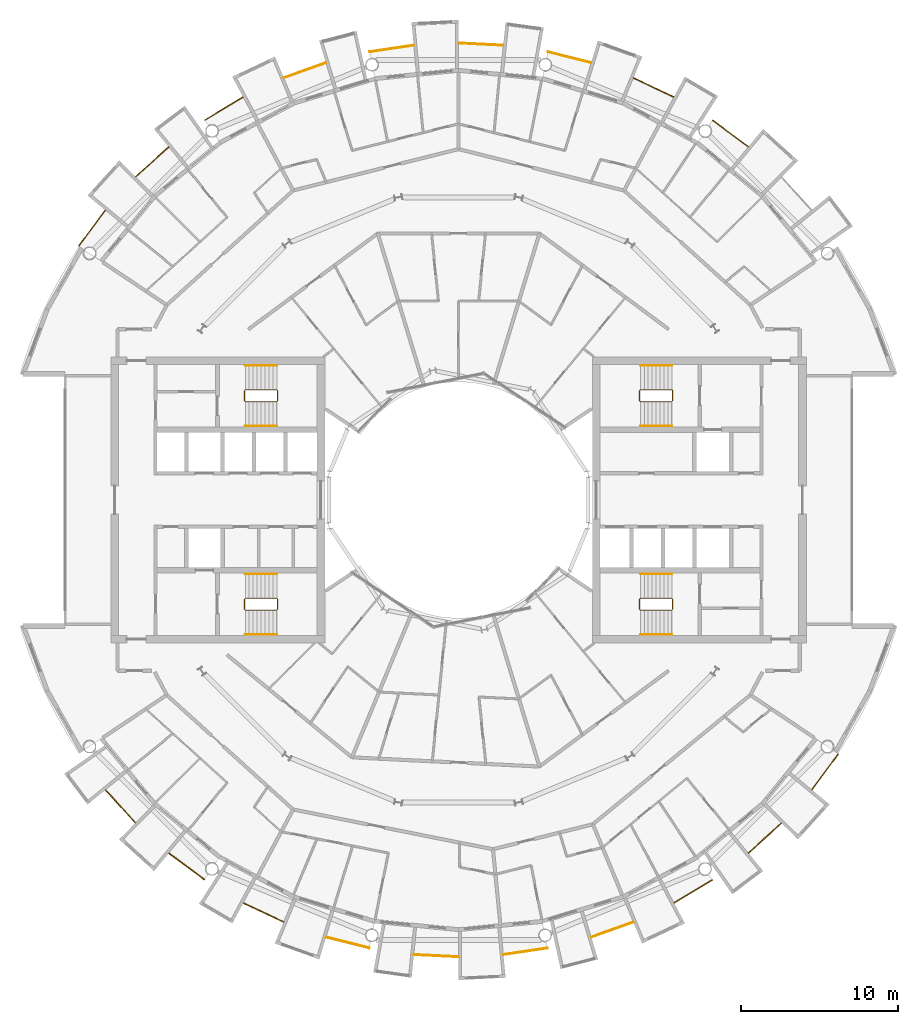
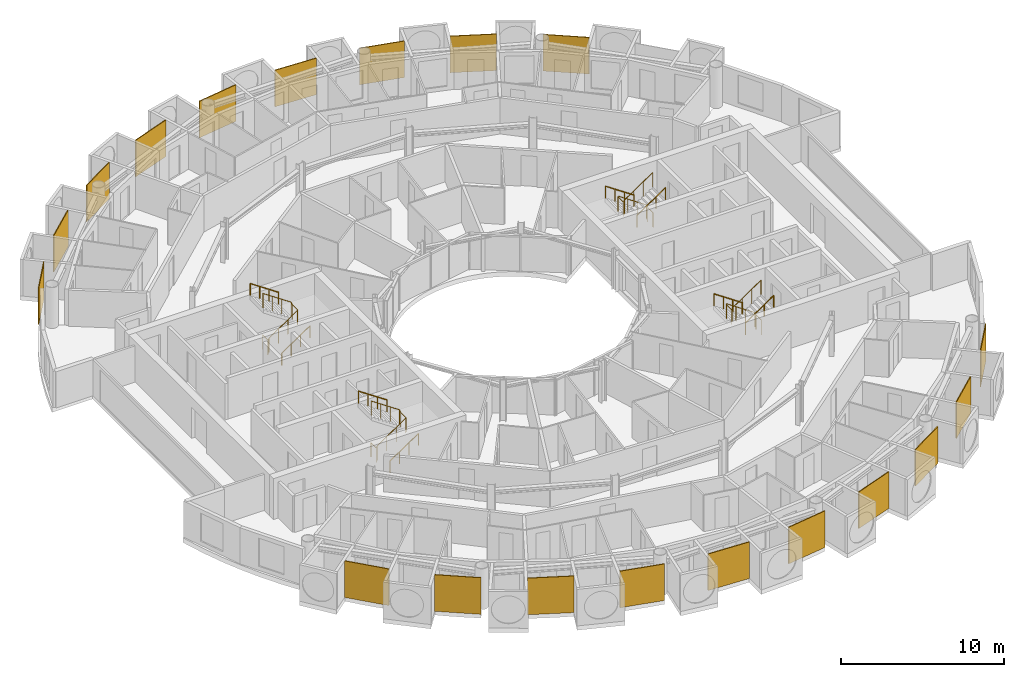
# One storey, part 26 of 27: 31 railings.
"""IFC4 building model written with IfcOpenShell, lengths in metres."""

from ifc_helpers import new_model, si_unit, direction, frame, origin, origin_2d, place, context, subcontext, project, spatial, polyline, circle, outline, extrude, material, layer, layer_set, type_object, element, save


model = new_model("IFC4")

# Units and contexts
model_context = context("Model", 3, precision=1e-05, world=origin(), true_north=direction((0.0, 1.0)))
body_context = subcontext(model_context, "Body", "Model", "MODEL_VIEW")
ifc_project = project(units=[si_unit("LENGTHUNIT", "METRE"), si_unit("AREAUNIT", "SQUARE_METRE"), si_unit("VOLUMEUNIT", "CUBIC_METRE"), si_unit("PLANEANGLEUNIT", "RADIAN"), si_unit("MASSUNIT", "GRAM", prefix="KILO")], contexts=[model_context])

# Site, building, storey
site_placement = place(None, origin())
site = spatial("IfcSite", under=ifc_project, at=site_placement, CompositionType="ELEMENT")
building_placement = place(site_placement, origin())
building = spatial("IfcBuilding", under=site, at=building_placement, Name="Maasbend Ring Residences", CompositionType="ELEMENT")
storey_placement = place(building_placement, frame((0.0, 0.0, 151.300048828125)))
storey = spatial("IfcBuildingStorey", under=building, at=storey_placement, Name="L43", CompositionType="ELEMENT", Elevation=151.300048828125)

# Railings
ifc_material_1 = material(Name="Pale anodised perforated aluminium", Category="aluminium")
ifc_layer = layer(ifc_material_1, 0.06005859375)
ifc_layer_set = layer_set([ifc_layer], Name="SCREEN-P")
railing_type_1 = type_object("IfcRailingType", Name="SCREEN-P", PredefinedType="GUARDRAIL", material=ifc_layer_set)
railing_1_placement = place(storey_placement, frame((0.0, 0.0, -0.030029296875)))
element("IfcRailing", 1, at=railing_1_placement, inside=storey, type_object=railing_type_1, Name="Perforated screen guard 2", PredefinedType="GUARDRAIL", context=body_context, shape_type="SweptSolid", body=[
    extrude(outline(polyline([(18.39697265625, 22.4169921875), (16.112060546875, 24.113037109375), (16.14697265625, 24.160888671875), (18.43310546875, 22.465087890625), (18.39697265625, 22.4169921875)])), origin(), (0.0, 0.0, 1.0), 2.72998046875),
])
railing_2_placement = place(storey_placement, frame((0.0, 0.0, -0.030029296875)))
element("IfcRailing", 2, at=railing_2_placement, inside=storey, type_object=railing_type_1, Name="Perforated screen guard 3", PredefinedType="GUARDRAIL", context=body_context, shape_type="SweptSolid", body=[
    extrude(outline(polyline([(13.6708984375, 25.575927734375), (11.097900390625, 26.79296875), (11.123046875, 26.846923828125), (13.696044921875, 25.6298828125), (13.6708984375, 25.575927734375)])), origin(), (0.0, 0.0, 1.0), 2.72998046875),
])
railing_3_placement = place(storey_placement, frame((0.0, 0.0, -0.030029296875)))
element("IfcRailing", 3, at=railing_3_placement, inside=storey, type_object=railing_type_1, Name="Perforated screen guard 4", PredefinedType="GUARDRAIL", context=body_context, shape_type="SweptSolid", body=[
    extrude(outline(polyline([(8.41796875, 27.7509765625), (5.657958984375, 28.443115234375), (5.672119140625, 28.5009765625), (8.43310546875, 27.80908203125), (8.41796875, 27.7509765625)])), origin(), (0.0, 0.0, 1.0), 2.72998046875),
])
railing_4_placement = place(storey_placement, frame((0.0, 0.0, -0.030029296875)))
element("IfcRailing", 4, at=railing_4_placement, inside=storey, type_object=railing_type_1, Name="Perforated screen guard 5", PredefinedType="GUARDRAIL", context=body_context, shape_type="SweptSolid", body=[
    extrude(outline(polyline([(2.842041015625, 28.860107421875), (0.0, 29.0), (0.0029296875, 29.06005859375), (2.844970703125, 28.919921875), (2.842041015625, 28.860107421875)])), origin(), (0.0, 0.0, 1.0), 2.72998046875),
])
railing_5_placement = place(storey_placement, frame((0.0, 0.0, -0.030029296875)))
element("IfcRailing", 5, at=railing_5_placement, inside=storey, type_object=railing_type_1, Name="Perforated screen guard 6", PredefinedType="GUARDRAIL", context=body_context, shape_type="SweptSolid", body=[
    extrude(outline(polyline([(-2.842041015625, 28.860107421875), (-5.657958984375, 28.443115234375), (-5.666015625, 28.501953125), (-2.85107421875, 28.919921875), (-2.842041015625, 28.860107421875)])), origin(), (0.0, 0.0, 1.0), 2.72998046875),
])
railing_6_placement = place(storey_placement, frame((0.0, 0.0, -0.030029296875)))
element("IfcRailing", 6, at=railing_6_placement, inside=storey, type_object=railing_type_1, Name="Perforated screen guard 7", PredefinedType="GUARDRAIL", context=body_context, shape_type="SweptSolid", body=[
    extrude(outline(polyline([(-8.41796875, 27.7509765625), (-11.097900390625, 26.79296875), (-11.117919921875, 26.84912109375), (-8.43798828125, 27.80810546875), (-8.41796875, 27.7509765625)])), origin(), (0.0, 0.0, 1.0), 2.72998046875),
])
railing_7_placement = place(storey_placement, frame((0.0, 0.0, -0.030029296875)))
element("IfcRailing", 7, at=railing_7_placement, inside=storey, type_object=railing_type_1, Name="Perforated screen guard 8", PredefinedType="GUARDRAIL", context=body_context, shape_type="SweptSolid", body=[
    extrude(outline(polyline([(-13.6708984375, 25.575927734375), (-16.112060546875, 24.113037109375), (-16.14208984375, 24.1640625), (-13.700927734375, 25.626953125), (-13.6708984375, 25.575927734375)])), origin(), (0.0, 0.0, 1.0), 2.72998046875),
])
railing_8_placement = place(storey_placement, frame((0.0, 0.0, -0.030029296875)))
element("IfcRailing", 8, at=railing_8_placement, inside=storey, type_object=railing_type_1, Name="Perforated screen guard 9", PredefinedType="GUARDRAIL", context=body_context, shape_type="SweptSolid", body=[
    extrude(outline(polyline([(-18.39697265625, 22.4169921875), (-20.506103515625, 20.506103515625), (-20.5458984375, 20.551025390625), (-18.43798828125, 22.4619140625), (-18.39697265625, 22.4169921875)])), origin(), (0.0, 0.0, 1.0), 2.72998046875),
])
railing_9_placement = place(storey_placement, frame((0.0, 0.0, -0.030029296875)))
element("IfcRailing", 9, at=railing_9_placement, inside=storey, type_object=railing_type_1, Name="Perforated screen guard 10", PredefinedType="GUARDRAIL", context=body_context, shape_type="SweptSolid", body=[
    extrude(outline(polyline([(-22.4169921875, 18.39697265625), (-24.113037109375, 16.112060546875), (-24.160888671875, 16.14697265625), (-22.465087890625, 18.43310546875), (-22.4169921875, 18.39697265625)])), origin(), (0.0, 0.0, 1.0), 2.72998046875),
])
railing_10_placement = place(storey_placement, frame((0.0, 0.0, -0.030029296875)))
element("IfcRailing", 10, at=railing_10_placement, inside=storey, type_object=railing_type_1, Name="Perforated screen guard 1", PredefinedType="GUARDRAIL", context=body_context, shape_type="SweptSolid", body=[
    extrude(outline(polyline([(-22.4169921875, -18.39697265625), (-20.506103515625, -20.506103515625), (-20.551025390625, -20.5458984375), (-22.4619140625, -18.43798828125), (-22.4169921875, -18.39697265625)])), origin(), (0.0, 0.0, 1.0), 2.72998046875),
])
railing_11_placement = place(storey_placement, frame((0.0, 0.0, -0.030029296875)))
element("IfcRailing", 11, at=railing_11_placement, inside=storey, type_object=railing_type_1, Name="Perforated screen guard 2", PredefinedType="GUARDRAIL", context=body_context, shape_type="SweptSolid", body=[
    extrude(outline(polyline([(-18.39697265625, -22.4169921875), (-16.112060546875, -24.113037109375), (-16.14697265625, -24.160888671875), (-18.43310546875, -22.465087890625), (-18.39697265625, -22.4169921875)])), origin(), (0.0, 0.0, 1.0), 2.72998046875),
])
railing_12_placement = place(storey_placement, frame((0.0, 0.0, -0.030029296875)))
element("IfcRailing", 12, at=railing_12_placement, inside=storey, type_object=railing_type_1, Name="Perforated screen guard 3", PredefinedType="GUARDRAIL", context=body_context, shape_type="SweptSolid", body=[
    extrude(outline(polyline([(-13.6708984375, -25.575927734375), (-11.097900390625, -26.79296875), (-11.123046875, -26.846923828125), (-13.696044921875, -25.6298828125), (-13.6708984375, -25.575927734375)])), origin(), (0.0, 0.0, 1.0), 2.72998046875),
])
railing_13_placement = place(storey_placement, frame((0.0, 0.0, -0.030029296875)))
element("IfcRailing", 13, at=railing_13_placement, inside=storey, type_object=railing_type_1, Name="Perforated screen guard 4", PredefinedType="GUARDRAIL", context=body_context, shape_type="SweptSolid", body=[
    extrude(outline(polyline([(-8.41796875, -27.7509765625), (-5.657958984375, -28.443115234375), (-5.672119140625, -28.5009765625), (-8.43310546875, -27.80908203125), (-8.41796875, -27.7509765625)])), origin(), (0.0, 0.0, 1.0), 2.72998046875),
])
railing_14_placement = place(storey_placement, frame((0.0, 0.0, -0.030029296875)))
element("IfcRailing", 14, at=railing_14_placement, inside=storey, type_object=railing_type_1, Name="Perforated screen guard 5", PredefinedType="GUARDRAIL", context=body_context, shape_type="SweptSolid", body=[
    extrude(outline(polyline([(-2.842041015625, -28.860107421875), (0.0, -29.0), (-0.0029296875, -29.06005859375), (-2.844970703125, -28.919921875), (-2.842041015625, -28.860107421875)])), origin(), (0.0, 0.0, 1.0), 2.72998046875),
])
railing_15_placement = place(storey_placement, frame((0.0, 0.0, -0.030029296875)))
element("IfcRailing", 15, at=railing_15_placement, inside=storey, type_object=railing_type_1, Name="Perforated screen guard 6", PredefinedType="GUARDRAIL", context=body_context, shape_type="SweptSolid", body=[
    extrude(outline(polyline([(2.842041015625, -28.860107421875), (5.657958984375, -28.443115234375), (5.666015625, -28.501953125), (2.85107421875, -28.919921875), (2.842041015625, -28.860107421875)])), origin(), (0.0, 0.0, 1.0), 2.72998046875),
])
railing_16_placement = place(storey_placement, frame((0.0, 0.0, -0.030029296875)))
element("IfcRailing", 16, at=railing_16_placement, inside=storey, type_object=railing_type_1, Name="Perforated screen guard 7", PredefinedType="GUARDRAIL", context=body_context, shape_type="SweptSolid", body=[
    extrude(outline(polyline([(8.41796875, -27.7509765625), (11.097900390625, -26.79296875), (11.117919921875, -26.84912109375), (8.43798828125, -27.80810546875), (8.41796875, -27.7509765625)])), origin(), (0.0, 0.0, 1.0), 2.72998046875),
])
railing_17_placement = place(storey_placement, frame((0.0, 0.0, -0.030029296875)))
element("IfcRailing", 17, at=railing_17_placement, inside=storey, type_object=railing_type_1, Name="Perforated screen guard 8", PredefinedType="GUARDRAIL", context=body_context, shape_type="SweptSolid", body=[
    extrude(outline(polyline([(13.6708984375, -25.575927734375), (16.112060546875, -24.113037109375), (16.14208984375, -24.1640625), (13.700927734375, -25.626953125), (13.6708984375, -25.575927734375)])), origin(), (0.0, 0.0, 1.0), 2.72998046875),
])
railing_18_placement = place(storey_placement, frame((0.0, 0.0, -0.030029296875)))
element("IfcRailing", 18, at=railing_18_placement, inside=storey, type_object=railing_type_1, Name="Perforated screen guard 9", PredefinedType="GUARDRAIL", context=body_context, shape_type="SweptSolid", body=[
    extrude(outline(polyline([(18.39697265625, -22.4169921875), (20.506103515625, -20.506103515625), (20.5458984375, -20.551025390625), (18.43798828125, -22.4619140625), (18.39697265625, -22.4169921875)])), origin(), (0.0, 0.0, 1.0), 2.72998046875),
])
railing_19_placement = place(storey_placement, frame((0.0, 0.0, -0.030029296875)))
element("IfcRailing", 19, at=railing_19_placement, inside=storey, type_object=railing_type_1, Name="Perforated screen guard 10", PredefinedType="GUARDRAIL", context=body_context, shape_type="SweptSolid", body=[
    extrude(outline(polyline([(22.4169921875, -18.39697265625), (24.113037109375, -16.112060546875), (24.160888671875, -16.14697265625), (22.465087890625, -18.43310546875), (22.4169921875, -18.39697265625)])), origin(), (0.0, 0.0, 1.0), 2.72998046875),
])
ifc_material_2 = material(Name="Stainless steel 316", Category="steel")
railing_type_2 = type_object("IfcRailingType", Name="STAIR GUARD 1100", PredefinedType="GUARDRAIL", material=ifc_material_2)
railing_20_placement = place(storey_placement, frame((13.60009765625, 6.300048828125, 0.0)))
element("IfcRailing", 20, at=railing_20_placement, inside=storey, type_object=railing_type_2, Name="L43 ST-E1 stair guard 1", PredefinedType="GUARDRAIL", context=body_context, shape_type="SweptSolid", body=[
    extrude(circle(Radius=0.02392578125, at=origin_2d()), frame((0.0, 0.0, 1.076171875), z_axis=(0.0, 1.0, 0.0), x_axis=(-1.0, 0.0, 0.0)), (0.0, 0.0, 1.0), 0.64990234375),
    extrude(circle(Radius=0.02392578125, at=origin_2d()), frame((0.0, 0.64990234375, 1.076171875), z_axis=(-0.272562526181, 0.272562526181, 0.92272386912), x_axis=(-0.707106781187, -0.707106781187, 0.0)), (0.0, 0.0, 1.0), 0.18359375),
    extrude(circle(Radius=0.02392578125, at=origin_2d()), frame((-0.050048828125, 0.699951171875, 1.24560546875), z_axis=(-0.827797584762, 0.0, 0.561026878735), x_axis=(0.0, -1.0, 0.0)), (0.0, 0.0, 1.0), 2.416015625),
    extrude(circle(Radius=0.02392578125, at=origin_2d()), frame((-2.050048828125, 0.699951171875, 2.60107421875), z_axis=(-0.707106781187, -0.707106781187, 0.0), x_axis=(0.707106781187, -0.707106781187, 0.0)), (0.0, 0.0, 1.0), 0.07080078125),
    extrude(circle(Radius=0.02392578125, at=origin_2d()), frame((-2.10009765625, 0.64990234375, 2.60107421875), z_axis=(0.0, -1.0, 0.0), x_axis=(1.0, 0.0, 0.0)), (0.0, 0.0, 1.0), 0.64990234375),
    extrude(circle(Radius=0.02392578125, at=origin_2d()), frame((-2.10009765625, 0.0, 2.60107421875), z_axis=(0.272562526181, -0.272562526181, 0.92272386912), x_axis=(0.707106781187, 0.707106781187, 0.0)), (0.0, 0.0, 1.0), 0.18359375),
    extrude(circle(Radius=0.02392578125, at=origin_2d()), frame((-2.050048828125, -0.050048828125, 2.7705078125), z_axis=(0.827750655447, 0.0, 0.561096116906), x_axis=(0.0, 1.0, 0.0)), (0.0, 0.0, 1.0), 2.416259765625),
    extrude(circle(Radius=0.02099609375, at=origin_2d()), origin(), (0.0, 0.0, 1.0), 1.052001953125),
    extrude(circle(Radius=0.02099609375, at=origin_2d()), frame((0.0, 0.64990234375, 0.0)), (0.0, 0.0, 1.0), 1.052001953125),
    extrude(circle(Radius=0.02099609375, at=origin_2d()), frame((-0.050048828125, 0.699951171875, 0.16943359375)), (0.0, 0.0, 1.0), 1.052001953125),
    extrude(circle(Radius=0.02099609375, at=origin_2d()), frame((-0.716796875, 0.699951171875, 0.621337890625)), (0.0, 0.0, 1.0), 1.052001953125),
    extrude(circle(Radius=0.02099609375, at=origin_2d()), frame((-1.38330078125, 0.699951171875, 1.072998046875)), (0.0, 0.0, 1.0), 1.052001953125),
    extrude(circle(Radius=0.02099609375, at=origin_2d()), frame((-2.050048828125, 0.699951171875, 1.52490234375)), (0.0, 0.0, 1.0), 1.052001953125),
    extrude(circle(Radius=0.02099609375, at=origin_2d()), frame((-2.10009765625, 0.64990234375, 1.52490234375)), (0.0, 0.0, 1.0), 1.052001953125),
    extrude(circle(Radius=0.02099609375, at=origin_2d()), frame((-2.10009765625, 0.0, 1.52490234375)), (0.0, 0.0, 1.0), 1.052001953125),
    extrude(circle(Radius=0.02099609375, at=origin_2d()), frame((-2.050048828125, -0.050048828125, 1.6943359375)), (0.0, 0.0, 1.0), 1.052001953125),
    extrude(circle(Radius=0.02099609375, at=origin_2d()), frame((-1.38330078125, -0.050048828125, 2.146240234375)), (0.0, 0.0, 1.0), 1.052001953125),
    extrude(circle(Radius=0.02099609375, at=origin_2d()), frame((-0.716796875, -0.050048828125, 2.59814453125)), (0.0, 0.0, 1.0), 1.052001953125),
    extrude(circle(Radius=0.02099609375, at=origin_2d()), frame((-0.050048828125, -0.050048828125, 3.050048828125)), (0.0, 0.0, 1.0), 1.052001953125),
])
railing_21_placement = place(storey_placement, frame((13.60009765625, -6.949951171875, 0.0)))
element("IfcRailing", 21, at=railing_21_placement, inside=storey, type_object=railing_type_2, Name="L43 ST-E2 stair guard 1", PredefinedType="GUARDRAIL", context=body_context, shape_type="SweptSolid", body=[
    extrude(circle(Radius=0.02392578125, at=origin_2d()), frame((0.0, 0.0, 1.076171875), z_axis=(0.0, 1.0, 0.0), x_axis=(-1.0, 0.0, 0.0)), (0.0, 0.0, 1.0), 0.64990234375),
    extrude(circle(Radius=0.02392578125, at=origin_2d()), frame((0.0, 0.64990234375, 1.076171875), z_axis=(-0.272562526181, 0.272562526181, 0.92272386912), x_axis=(-0.707106781187, -0.707106781187, 0.0)), (0.0, 0.0, 1.0), 0.18359375),
    extrude(circle(Radius=0.02392578125, at=origin_2d()), frame((-0.050048828125, 0.699951171875, 1.24560546875), z_axis=(-0.827797584762, 0.0, 0.561026878735), x_axis=(0.0, -1.0, 0.0)), (0.0, 0.0, 1.0), 2.416015625),
    extrude(circle(Radius=0.02392578125, at=origin_2d()), frame((-2.050048828125, 0.699951171875, 2.60107421875), z_axis=(-0.707106781187, -0.707106781187, 0.0), x_axis=(0.707106781187, -0.707106781187, 0.0)), (0.0, 0.0, 1.0), 0.07080078125),
    extrude(circle(Radius=0.02392578125, at=origin_2d()), frame((-2.10009765625, 0.64990234375, 2.60107421875), z_axis=(0.0, -1.0, 0.0), x_axis=(1.0, 0.0, 0.0)), (0.0, 0.0, 1.0), 0.64990234375),
    extrude(circle(Radius=0.02392578125, at=origin_2d()), frame((-2.10009765625, 0.0, 2.60107421875), z_axis=(0.272562526181, -0.272562526181, 0.92272386912), x_axis=(0.707106781187, 0.707106781187, 0.0)), (0.0, 0.0, 1.0), 0.18359375),
    extrude(circle(Radius=0.02392578125, at=origin_2d()), frame((-2.050048828125, -0.050048828125, 2.7705078125), z_axis=(0.827750655447, 0.0, 0.561096116906), x_axis=(0.0, 1.0, 0.0)), (0.0, 0.0, 1.0), 2.416259765625),
    extrude(circle(Radius=0.02099609375, at=origin_2d()), origin(), (0.0, 0.0, 1.0), 1.052001953125),
    extrude(circle(Radius=0.02099609375, at=origin_2d()), frame((0.0, 0.64990234375, 0.0)), (0.0, 0.0, 1.0), 1.052001953125),
    extrude(circle(Radius=0.02099609375, at=origin_2d()), frame((-0.050048828125, 0.699951171875, 0.16943359375)), (0.0, 0.0, 1.0), 1.052001953125),
    extrude(circle(Radius=0.02099609375, at=origin_2d()), frame((-0.716796875, 0.699951171875, 0.621337890625)), (0.0, 0.0, 1.0), 1.052001953125),
    extrude(circle(Radius=0.02099609375, at=origin_2d()), frame((-1.38330078125, 0.699951171875, 1.072998046875)), (0.0, 0.0, 1.0), 1.052001953125),
    extrude(circle(Radius=0.02099609375, at=origin_2d()), frame((-2.050048828125, 0.699951171875, 1.52490234375)), (0.0, 0.0, 1.0), 1.052001953125),
    extrude(circle(Radius=0.02099609375, at=origin_2d()), frame((-2.10009765625, 0.64990234375, 1.52490234375)), (0.0, 0.0, 1.0), 1.052001953125),
    extrude(circle(Radius=0.02099609375, at=origin_2d()), frame((-2.10009765625, 0.0, 1.52490234375)), (0.0, 0.0, 1.0), 1.052001953125),
    extrude(circle(Radius=0.02099609375, at=origin_2d()), frame((-2.050048828125, -0.050048828125, 1.6943359375)), (0.0, 0.0, 1.0), 1.052001953125),
    extrude(circle(Radius=0.02099609375, at=origin_2d()), frame((-1.38330078125, -0.050048828125, 2.146240234375)), (0.0, 0.0, 1.0), 1.052001953125),
    extrude(circle(Radius=0.02099609375, at=origin_2d()), frame((-0.716796875, -0.050048828125, 2.59814453125)), (0.0, 0.0, 1.0), 1.052001953125),
    extrude(circle(Radius=0.02099609375, at=origin_2d()), frame((-0.050048828125, -0.050048828125, 3.050048828125)), (0.0, 0.0, 1.0), 1.052001953125),
])
railing_22_placement = place(storey_placement, frame((-13.60009765625, -6.300048828125, 0.0)))
element("IfcRailing", 22, at=railing_22_placement, inside=storey, type_object=railing_type_2, Name="L43 ST-W1 stair guard 1", PredefinedType="GUARDRAIL", context=body_context, shape_type="SweptSolid", body=[
    extrude(circle(Radius=0.02392578125, at=origin_2d()), frame((0.0, 0.0, 1.076171875), z_axis=(0.0, -1.0, 0.0), x_axis=(1.0, 0.0, 0.0)), (0.0, 0.0, 1.0), 0.64990234375),
    extrude(circle(Radius=0.02392578125, at=origin_2d()), frame((0.0, -0.64990234375, 1.076171875), z_axis=(0.272562526181, -0.272562526181, 0.92272386912), x_axis=(0.707106781187, 0.707106781187, 0.0)), (0.0, 0.0, 1.0), 0.18359375),
    extrude(circle(Radius=0.02392578125, at=origin_2d()), frame((0.050048828125, -0.699951171875, 1.24560546875), z_axis=(0.827797584762, 0.0, 0.561026878735), x_axis=(0.0, 1.0, 0.0)), (0.0, 0.0, 1.0), 2.416015625),
    extrude(circle(Radius=0.02392578125, at=origin_2d()), frame((2.050048828125, -0.699951171875, 2.60107421875), z_axis=(0.707106781187, 0.707106781187, 0.0), x_axis=(-0.707106781187, 0.707106781187, 0.0)), (0.0, 0.0, 1.0), 0.07080078125),
    extrude(circle(Radius=0.02392578125, at=origin_2d()), frame((2.10009765625, -0.64990234375, 2.60107421875), z_axis=(0.0, 1.0, 0.0), x_axis=(-1.0, 0.0, 0.0)), (0.0, 0.0, 1.0), 0.64990234375),
    extrude(circle(Radius=0.02392578125, at=origin_2d()), frame((2.10009765625, 0.0, 2.60107421875), z_axis=(-0.272562526181, 0.272562526181, 0.92272386912), x_axis=(-0.707106781187, -0.707106781187, 0.0)), (0.0, 0.0, 1.0), 0.18359375),
    extrude(circle(Radius=0.02392578125, at=origin_2d()), frame((2.050048828125, 0.050048828125, 2.7705078125), z_axis=(-0.827750655447, 0.0, 0.561096116906), x_axis=(0.0, -1.0, 0.0)), (0.0, 0.0, 1.0), 2.416259765625),
    extrude(circle(Radius=0.02099609375, at=origin_2d()), origin(), (0.0, 0.0, 1.0), 1.052001953125),
    extrude(circle(Radius=0.02099609375, at=origin_2d()), frame((0.0, -0.64990234375, 0.0)), (0.0, 0.0, 1.0), 1.052001953125),
    extrude(circle(Radius=0.02099609375, at=origin_2d()), frame((0.050048828125, -0.699951171875, 0.16943359375)), (0.0, 0.0, 1.0), 1.052001953125),
    extrude(circle(Radius=0.02099609375, at=origin_2d()), frame((0.716796875, -0.699951171875, 0.621337890625)), (0.0, 0.0, 1.0), 1.052001953125),
    extrude(circle(Radius=0.02099609375, at=origin_2d()), frame((1.38330078125, -0.699951171875, 1.072998046875)), (0.0, 0.0, 1.0), 1.052001953125),
    extrude(circle(Radius=0.02099609375, at=origin_2d()), frame((2.050048828125, -0.699951171875, 1.52490234375)), (0.0, 0.0, 1.0), 1.052001953125),
    extrude(circle(Radius=0.02099609375, at=origin_2d()), frame((2.10009765625, -0.64990234375, 1.52490234375)), (0.0, 0.0, 1.0), 1.052001953125),
    extrude(circle(Radius=0.02099609375, at=origin_2d()), frame((2.10009765625, 0.0, 1.52490234375)), (0.0, 0.0, 1.0), 1.052001953125),
    extrude(circle(Radius=0.02099609375, at=origin_2d()), frame((2.050048828125, 0.050048828125, 1.6943359375)), (0.0, 0.0, 1.0), 1.052001953125),
    extrude(circle(Radius=0.02099609375, at=origin_2d()), frame((1.38330078125, 0.050048828125, 2.146240234375)), (0.0, 0.0, 1.0), 1.052001953125),
    extrude(circle(Radius=0.02099609375, at=origin_2d()), frame((0.716796875, 0.050048828125, 2.59814453125)), (0.0, 0.0, 1.0), 1.052001953125),
    extrude(circle(Radius=0.02099609375, at=origin_2d()), frame((0.050048828125, 0.050048828125, 3.050048828125)), (0.0, 0.0, 1.0), 1.052001953125),
])
railing_23_placement = place(storey_placement, frame((-13.60009765625, 6.949951171875, 0.0)))
element("IfcRailing", 23, at=railing_23_placement, inside=storey, type_object=railing_type_2, Name="L43 ST-W2 stair guard 1", PredefinedType="GUARDRAIL", context=body_context, shape_type="SweptSolid", body=[
    extrude(circle(Radius=0.02392578125, at=origin_2d()), frame((0.0, 0.0, 1.076171875), z_axis=(0.0, -1.0, 0.0), x_axis=(1.0, 0.0, 0.0)), (0.0, 0.0, 1.0), 0.64990234375),
    extrude(circle(Radius=0.02392578125, at=origin_2d()), frame((0.0, -0.64990234375, 1.076171875), z_axis=(0.272562526181, -0.272562526181, 0.92272386912), x_axis=(0.707106781187, 0.707106781187, 0.0)), (0.0, 0.0, 1.0), 0.18359375),
    extrude(circle(Radius=0.02392578125, at=origin_2d()), frame((0.050048828125, -0.699951171875, 1.24560546875), z_axis=(0.827797584762, 0.0, 0.561026878735), x_axis=(0.0, 1.0, 0.0)), (0.0, 0.0, 1.0), 2.416015625),
    extrude(circle(Radius=0.02392578125, at=origin_2d()), frame((2.050048828125, -0.699951171875, 2.60107421875), z_axis=(0.707106781187, 0.707106781187, 0.0), x_axis=(-0.707106781187, 0.707106781187, 0.0)), (0.0, 0.0, 1.0), 0.07080078125),
    extrude(circle(Radius=0.02392578125, at=origin_2d()), frame((2.10009765625, -0.64990234375, 2.60107421875), z_axis=(0.0, 1.0, 0.0), x_axis=(-1.0, 0.0, 0.0)), (0.0, 0.0, 1.0), 0.64990234375),
    extrude(circle(Radius=0.02392578125, at=origin_2d()), frame((2.10009765625, 0.0, 2.60107421875), z_axis=(-0.272562526181, 0.272562526181, 0.92272386912), x_axis=(-0.707106781187, -0.707106781187, 0.0)), (0.0, 0.0, 1.0), 0.18359375),
    extrude(circle(Radius=0.02392578125, at=origin_2d()), frame((2.050048828125, 0.050048828125, 2.7705078125), z_axis=(-0.827750655447, 0.0, 0.561096116906), x_axis=(0.0, -1.0, 0.0)), (0.0, 0.0, 1.0), 2.416259765625),
    extrude(circle(Radius=0.02099609375, at=origin_2d()), origin(), (0.0, 0.0, 1.0), 1.052001953125),
    extrude(circle(Radius=0.02099609375, at=origin_2d()), frame((0.0, -0.64990234375, 0.0)), (0.0, 0.0, 1.0), 1.052001953125),
    extrude(circle(Radius=0.02099609375, at=origin_2d()), frame((0.050048828125, -0.699951171875, 0.16943359375)), (0.0, 0.0, 1.0), 1.052001953125),
    extrude(circle(Radius=0.02099609375, at=origin_2d()), frame((0.716796875, -0.699951171875, 0.621337890625)), (0.0, 0.0, 1.0), 1.052001953125),
    extrude(circle(Radius=0.02099609375, at=origin_2d()), frame((1.38330078125, -0.699951171875, 1.072998046875)), (0.0, 0.0, 1.0), 1.052001953125),
    extrude(circle(Radius=0.02099609375, at=origin_2d()), frame((2.050048828125, -0.699951171875, 1.52490234375)), (0.0, 0.0, 1.0), 1.052001953125),
    extrude(circle(Radius=0.02099609375, at=origin_2d()), frame((2.10009765625, -0.64990234375, 1.52490234375)), (0.0, 0.0, 1.0), 1.052001953125),
    extrude(circle(Radius=0.02099609375, at=origin_2d()), frame((2.10009765625, 0.0, 1.52490234375)), (0.0, 0.0, 1.0), 1.052001953125),
    extrude(circle(Radius=0.02099609375, at=origin_2d()), frame((2.050048828125, 0.050048828125, 1.6943359375)), (0.0, 0.0, 1.0), 1.052001953125),
    extrude(circle(Radius=0.02099609375, at=origin_2d()), frame((1.38330078125, 0.050048828125, 2.146240234375)), (0.0, 0.0, 1.0), 1.052001953125),
    extrude(circle(Radius=0.02099609375, at=origin_2d()), frame((0.716796875, 0.050048828125, 2.59814453125)), (0.0, 0.0, 1.0), 1.052001953125),
    extrude(circle(Radius=0.02099609375, at=origin_2d()), frame((0.050048828125, 0.050048828125, 3.050048828125)), (0.0, 0.0, 1.0), 1.052001953125),
])
ifc_material_3 = material(Name="Stainless steel 316", Category="steel")
railing_type_3 = type_object("IfcRailingType", Name="STAIR HANDRAIL 900", PredefinedType="HANDRAIL", material=ifc_material_3)
railing_24_placement = place(storey_placement, frame((13.550048828125, 8.550048828125, 0.16943359375)))
element("IfcRailing", 24, at=railing_24_placement, inside=storey, type_object=railing_type_3, Name="L43 ST-E1 stair handrail 1", PredefinedType="HANDRAIL", context=body_context, shape_type="SweptSolid", body=[
    extrude(circle(Radius=0.02392578125, at=origin_2d()), frame((0.0, 0.0, 0.8759765625), z_axis=(-0.827797584762, 0.0, 0.561026878735), x_axis=(0.0, -1.0, 0.0)), (0.0, 0.0, 1.0), 2.416015625),
    extrude(circle(Radius=0.02099609375, at=origin_2d()), origin(), (0.0, 0.0, 1.0), 0.851806640625),
    extrude(circle(Radius=0.02099609375, at=origin_2d()), frame((-0.666748046875, 0.0, 0.451904296875)), (0.0, 0.0, 1.0), 0.851806640625),
    extrude(circle(Radius=0.02099609375, at=origin_2d()), frame((-1.333251953125, 0.0, 0.903564453125)), (0.0, 0.0, 1.0), 0.851806640625),
    extrude(circle(Radius=0.02099609375, at=origin_2d()), frame((-2.0, 0.0, 1.35546875)), (0.0, 0.0, 1.0), 0.851806640625),
])
railing_25_placement = place(storey_placement, frame((11.550048828125, 4.699951171875, 1.6943359375)))
element("IfcRailing", 25, at=railing_25_placement, inside=storey, type_object=railing_type_3, Name="L43 ST-E1 stair handrail 2", PredefinedType="HANDRAIL", context=body_context, shape_type="SweptSolid", body=[
    extrude(circle(Radius=0.02392578125, at=origin_2d()), frame((0.0, 0.0, 0.8759765625), z_axis=(0.827750655447, 0.0, 0.561096116906), x_axis=(0.0, 1.0, 0.0)), (0.0, 0.0, 1.0), 2.416259765625),
    extrude(circle(Radius=0.02099609375, at=origin_2d()), origin(), (0.0, 0.0, 1.0), 0.851806640625),
    extrude(circle(Radius=0.02099609375, at=origin_2d()), frame((0.666748046875, 0.0, 0.451904296875)), (0.0, 0.0, 1.0), 0.851806640625),
    extrude(circle(Radius=0.02099609375, at=origin_2d()), frame((1.333251953125, 0.0, 0.90380859375)), (0.0, 0.0, 1.0), 0.851806640625),
    extrude(circle(Radius=0.02099609375, at=origin_2d()), frame((2.0, 0.0, 1.355712890625)), (0.0, 0.0, 1.0), 0.851806640625),
])
railing_26_placement = place(storey_placement, frame((13.550048828125, -4.699951171875, 0.16943359375)))
element("IfcRailing", 26, at=railing_26_placement, inside=storey, type_object=railing_type_3, Name="L43 ST-E2 stair handrail 1", PredefinedType="HANDRAIL", context=body_context, shape_type="SweptSolid", body=[
    extrude(circle(Radius=0.02392578125, at=origin_2d()), frame((0.0, 0.0, 0.8759765625), z_axis=(-0.827797584762, 0.0, 0.561026878735), x_axis=(0.0, -1.0, 0.0)), (0.0, 0.0, 1.0), 2.416015625),
    extrude(circle(Radius=0.02099609375, at=origin_2d()), origin(), (0.0, 0.0, 1.0), 0.851806640625),
    extrude(circle(Radius=0.02099609375, at=origin_2d()), frame((-0.666748046875, 0.0, 0.451904296875)), (0.0, 0.0, 1.0), 0.851806640625),
    extrude(circle(Radius=0.02099609375, at=origin_2d()), frame((-1.333251953125, 0.0, 0.903564453125)), (0.0, 0.0, 1.0), 0.851806640625),
    extrude(circle(Radius=0.02099609375, at=origin_2d()), frame((-2.0, 0.0, 1.35546875)), (0.0, 0.0, 1.0), 0.851806640625),
])
railing_27_placement = place(storey_placement, frame((11.550048828125, -8.550048828125, 1.6943359375)))
element("IfcRailing", 27, at=railing_27_placement, inside=storey, type_object=railing_type_3, Name="L43 ST-E2 stair handrail 2", PredefinedType="HANDRAIL", context=body_context, shape_type="SweptSolid", body=[
    extrude(circle(Radius=0.02392578125, at=origin_2d()), frame((0.0, 0.0, 0.8759765625), z_axis=(0.827750655447, 0.0, 0.561096116906), x_axis=(0.0, 1.0, 0.0)), (0.0, 0.0, 1.0), 2.416259765625),
    extrude(circle(Radius=0.02099609375, at=origin_2d()), origin(), (0.0, 0.0, 1.0), 0.851806640625),
    extrude(circle(Radius=0.02099609375, at=origin_2d()), frame((0.666748046875, 0.0, 0.451904296875)), (0.0, 0.0, 1.0), 0.851806640625),
    extrude(circle(Radius=0.02099609375, at=origin_2d()), frame((1.333251953125, 0.0, 0.90380859375)), (0.0, 0.0, 1.0), 0.851806640625),
    extrude(circle(Radius=0.02099609375, at=origin_2d()), frame((2.0, 0.0, 1.355712890625)), (0.0, 0.0, 1.0), 0.851806640625),
])
railing_28_placement = place(storey_placement, frame((-13.550048828125, -8.550048828125, 0.16943359375)))
element("IfcRailing", 28, at=railing_28_placement, inside=storey, type_object=railing_type_3, Name="L43 ST-W1 stair handrail 1", PredefinedType="HANDRAIL", context=body_context, shape_type="SweptSolid", body=[
    extrude(circle(Radius=0.02392578125, at=origin_2d()), frame((0.0, 0.0, 0.8759765625), z_axis=(0.827797584762, 0.0, 0.561026878735), x_axis=(0.0, 1.0, 0.0)), (0.0, 0.0, 1.0), 2.416015625),
    extrude(circle(Radius=0.02099609375, at=origin_2d()), origin(), (0.0, 0.0, 1.0), 0.851806640625),
    extrude(circle(Radius=0.02099609375, at=origin_2d()), frame((0.666748046875, 0.0, 0.451904296875)), (0.0, 0.0, 1.0), 0.851806640625),
    extrude(circle(Radius=0.02099609375, at=origin_2d()), frame((1.333251953125, 0.0, 0.903564453125)), (0.0, 0.0, 1.0), 0.851806640625),
    extrude(circle(Radius=0.02099609375, at=origin_2d()), frame((2.0, 0.0, 1.35546875)), (0.0, 0.0, 1.0), 0.851806640625),
])
railing_29_placement = place(storey_placement, frame((-11.550048828125, -4.699951171875, 1.6943359375)))
element("IfcRailing", 29, at=railing_29_placement, inside=storey, type_object=railing_type_3, Name="L43 ST-W1 stair handrail 2", PredefinedType="HANDRAIL", context=body_context, shape_type="SweptSolid", body=[
    extrude(circle(Radius=0.02392578125, at=origin_2d()), frame((0.0, 0.0, 0.8759765625), z_axis=(-0.827750655447, 0.0, 0.561096116906), x_axis=(0.0, -1.0, 0.0)), (0.0, 0.0, 1.0), 2.416259765625),
    extrude(circle(Radius=0.02099609375, at=origin_2d()), origin(), (0.0, 0.0, 1.0), 0.851806640625),
    extrude(circle(Radius=0.02099609375, at=origin_2d()), frame((-0.666748046875, 0.0, 0.451904296875)), (0.0, 0.0, 1.0), 0.851806640625),
    extrude(circle(Radius=0.02099609375, at=origin_2d()), frame((-1.333251953125, 0.0, 0.90380859375)), (0.0, 0.0, 1.0), 0.851806640625),
    extrude(circle(Radius=0.02099609375, at=origin_2d()), frame((-2.0, 0.0, 1.355712890625)), (0.0, 0.0, 1.0), 0.851806640625),
])
railing_30_placement = place(storey_placement, frame((-13.550048828125, 4.699951171875, 0.16943359375)))
element("IfcRailing", 30, at=railing_30_placement, inside=storey, type_object=railing_type_3, Name="L43 ST-W2 stair handrail 1", PredefinedType="HANDRAIL", context=body_context, shape_type="SweptSolid", body=[
    extrude(circle(Radius=0.02392578125, at=origin_2d()), frame((0.0, 0.0, 0.8759765625), z_axis=(0.827797584762, 0.0, 0.561026878735), x_axis=(0.0, 1.0, 0.0)), (0.0, 0.0, 1.0), 2.416015625),
    extrude(circle(Radius=0.02099609375, at=origin_2d()), origin(), (0.0, 0.0, 1.0), 0.851806640625),
    extrude(circle(Radius=0.02099609375, at=origin_2d()), frame((0.666748046875, 0.0, 0.451904296875)), (0.0, 0.0, 1.0), 0.851806640625),
    extrude(circle(Radius=0.02099609375, at=origin_2d()), frame((1.333251953125, 0.0, 0.903564453125)), (0.0, 0.0, 1.0), 0.851806640625),
    extrude(circle(Radius=0.02099609375, at=origin_2d()), frame((2.0, 0.0, 1.35546875)), (0.0, 0.0, 1.0), 0.851806640625),
])
railing_31_placement = place(storey_placement, frame((-11.550048828125, 8.550048828125, 1.6943359375)))
element("IfcRailing", 31, at=railing_31_placement, inside=storey, type_object=railing_type_3, Name="L43 ST-W2 stair handrail 2", PredefinedType="HANDRAIL", context=body_context, shape_type="SweptSolid", body=[
    extrude(circle(Radius=0.02392578125, at=origin_2d()), frame((0.0, 0.0, 0.8759765625), z_axis=(-0.827750655447, 0.0, 0.561096116906), x_axis=(0.0, -1.0, 0.0)), (0.0, 0.0, 1.0), 2.416259765625),
    extrude(circle(Radius=0.02099609375, at=origin_2d()), origin(), (0.0, 0.0, 1.0), 0.851806640625),
    extrude(circle(Radius=0.02099609375, at=origin_2d()), frame((-0.666748046875, 0.0, 0.451904296875)), (0.0, 0.0, 1.0), 0.851806640625),
    extrude(circle(Radius=0.02099609375, at=origin_2d()), frame((-1.333251953125, 0.0, 0.90380859375)), (0.0, 0.0, 1.0), 0.851806640625),
    extrude(circle(Radius=0.02099609375, at=origin_2d()), frame((-2.0, 0.0, 1.355712890625)), (0.0, 0.0, 1.0), 0.851806640625),
])

save(model, "model.ifc")
